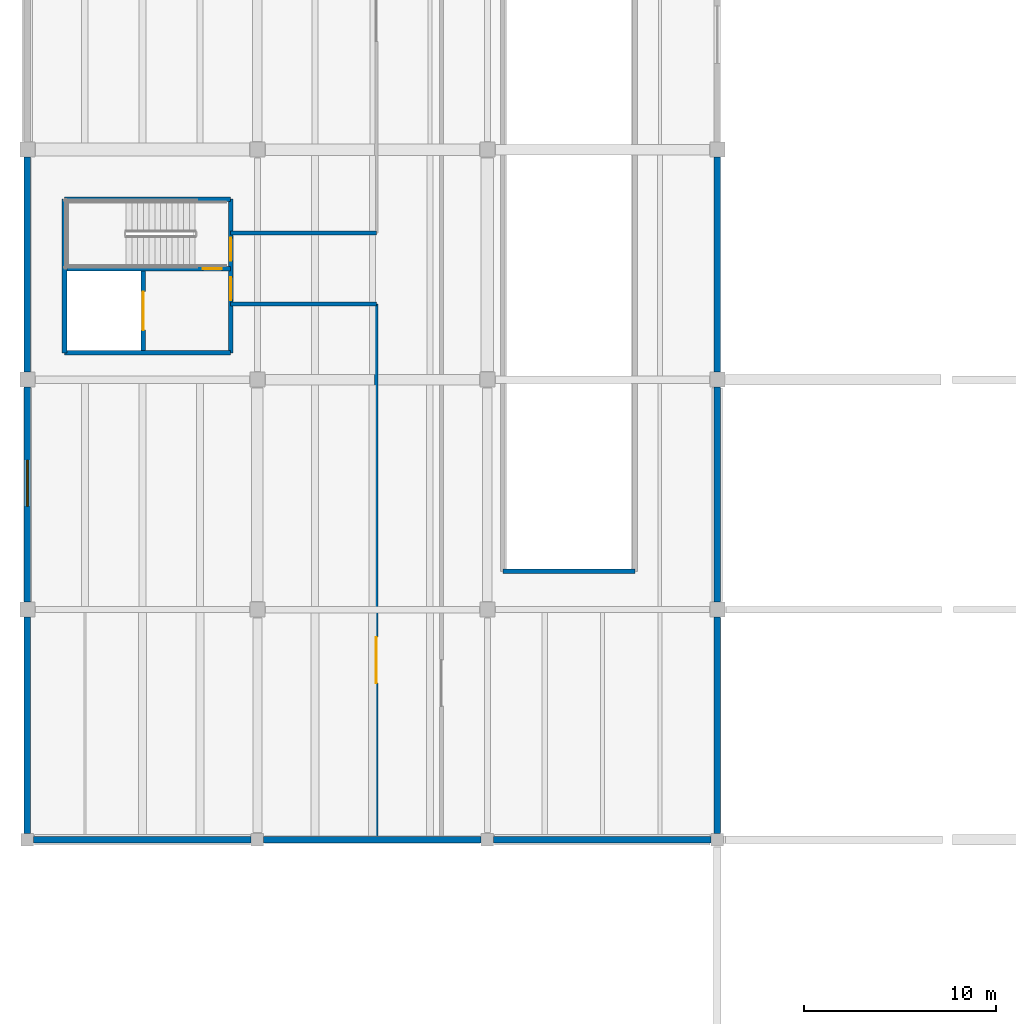
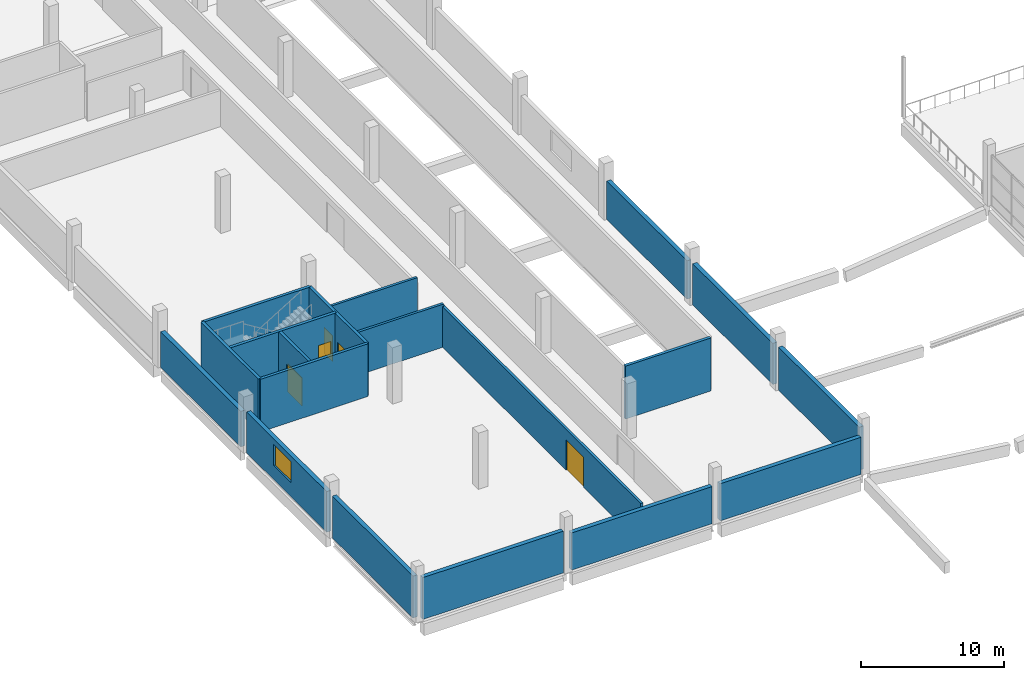
# One storey, part 76 of 112: 19 walls, 5 doors, 1 window, 6 openings.
"""IFC4 building model written with IfcOpenShell, lengths in metres."""

from ifc_helpers import new_model, si_unit, direction, frame, frame_2d, origin, place, context, subcontext, project, spatial, rectangle, extrude, material, layer, layer_set, type_object, element, fill, save


model = new_model("IFC4")

# Units and contexts
model_context = context("Model", 3, precision=1e-05, world=origin(), true_north=direction((0.0, 1.0)))
body_context = subcontext(model_context, "Body", "Model", "MODEL_VIEW")
ifc_project = project(units=[si_unit("LENGTHUNIT", "METRE"), si_unit("AREAUNIT", "SQUARE_METRE"), si_unit("VOLUMEUNIT", "CUBIC_METRE"), si_unit("PLANEANGLEUNIT", "RADIAN"), si_unit("MASSUNIT", "GRAM", prefix="KILO")], contexts=[model_context])

# Site, building, storey
site_placement = place(None, origin())
site = spatial("IfcSite", under=ifc_project, at=site_placement, CompositionType="ELEMENT")
building_placement = place(site_placement, origin())
building = spatial("IfcBuilding", under=site, at=building_placement, Name="Kamomehara Wholesale Market", CompositionType="ELEMENT")
storey_placement = place(building_placement, frame((0.0, 0.0, 6.60009765625)))
storey = spatial("IfcBuildingStorey", under=building, at=storey_placement, Name="L01", CompositionType="ELEMENT", Elevation=6.60009765625)

# Wall
ifc_material_1 = material(Name="Polyurethane insulated metal panel")
ifc_layer_1 = layer(ifc_material_1, 0.340087890625)
ifc_layer_set_1 = layer_set([ifc_layer_1], Name="Polyurethane insulated metal panel")
wall_type_1 = type_object("IfcWallType", Name="EW-CLD-340", PredefinedType="SOLIDWALL", material=ifc_layer_set_1)
wall_1_placement = place(storey_placement, frame((0.0, 36.324951171875, 0.0), z_axis=(0.0, 0.0, 1.0), x_axis=(0.0, 1.0, 0.0)))
element("IfcWall", 1, at=wall_1_placement, inside=storey, type_object=wall_type_1, Name="Exterior wall EW-CLD-340 21", PredefinedType="SOLIDWALL", context=body_context, shape_type="SweptSolid", body=[
    extrude(rectangle(XDim=11.28515625, YDim=0.340087890625, at=frame_2d((5.642578125, 0.0))), origin(), (0.0, 0.0, 1.0), 3.56982421875),
])

# Wall, opening, window
wall_2_placement = place(storey_placement, frame((0.0, 48.389892578125, 0.0), z_axis=(0.0, 0.0, 1.0), x_axis=(0.0, 1.0, 0.0)))
wall_2 = element("IfcWall", 2, at=wall_2_placement, inside=storey, type_object=wall_type_1, Name="Exterior wall EW-CLD-340 22", PredefinedType="SOLIDWALL", context=body_context, shape_type="SweptSolid", body=[
    extrude(rectangle(XDim=11.22021484375, YDim=0.340087890625, at=frame_2d((5.610107421875, 0.0))), origin(), (0.0, 0.0, 1.0), 3.468017578125),
])
opening_1_placement = place(wall_2_placement, frame((5.010009765625, 0.0, 1.199951171875)))
opening_1 = element("IfcOpeningElement", 3, at=opening_1_placement, cuts=wall_2, Name="Opening WN-L01-001", PredefinedType="OPENING", context=body_context, shape_type="SweptSolid", body=[
    extrude(rectangle(XDim=2.39990234375, YDim=1.800048828125, at=frame_2d((1.199951171875, 0.89990234375))), frame((0.0, 0.18505859375, 0.0), z_axis=(0.0, -1.0, 0.0), x_axis=(1.0, 0.0, 0.0)), (0.0, 0.0, 1.0), 0.369873046875),
])
ifc_material_2 = material(Name="Solar-control Low-E double glazing", Category="glass")
window_type = type_object("IfcWindowType", Name="WIN-2400x1800", PartitioningType="SINGLE_PANEL", PredefinedType="WINDOW", material=ifc_material_2)
window_placement = place(opening_1_placement, origin())
window = element("IfcWindow", 4, at=window_placement, inside=storey, type_object=window_type, Name="Exterior window WN-L01-001", OverallHeight=1.800048828125, OverallWidth=2.39990234375, PartitioningType="SINGLE_PANEL", PredefinedType="WINDOW", context=body_context, shape_type="SweptSolid", body=[
    extrude(rectangle(XDim=2.39990234375, YDim=1.800048828125, at=frame_2d((1.199951171875, 0.89990234375))), frame((0.0, 0.030029296875, 0.0), z_axis=(0.0, -1.0, 0.0), x_axis=(1.0, 0.0, 0.0)), (0.0, 0.0, 1.0), 0.06005859375),
])
fill(opening_1, window)

# Walls
wall_3_placement = place(storey_placement, frame((0.0, 60.389892578125, 0.0), z_axis=(0.0, 0.0, 1.0), x_axis=(0.0, 1.0, 0.0)))
element("IfcWall", 5, at=wall_3_placement, inside=storey, type_object=wall_type_1, Name="Exterior wall EW-CLD-340 23", PredefinedType="SOLIDWALL", context=body_context, shape_type="SweptSolid", body=[
    extrude(rectangle(XDim=11.22021484375, YDim=0.340087890625, at=frame_2d((5.610107421875, 0.0))), origin(), (0.0, 0.0, 1.0), 3.037841796875),
])
wall_4_placement = place(storey_placement, frame((11.675048828125, 36.0, 0.0), z_axis=(0.0, 0.0, 1.0), x_axis=(-1.0, 0.0, 0.0)))
element("IfcWall", 6, at=wall_4_placement, inside=storey, type_object=wall_type_1, Name="Exterior wall EW-CLD-340 32", PredefinedType="SOLIDWALL", context=body_context, shape_type="SweptSolid", body=[
    extrude(rectangle(XDim=11.35009765625, YDim=0.340087890625, at=frame_2d((5.675048828125, 0.0))), origin(), (0.0, 0.0, 1.0), 3.56982421875),
])
for number, where, z_axis, x_axis, name in (
    (7, (23.675048828125, 36.0, 0.0), (0.0, 0.0, 1.0), (-1.0, 0.0, 0.0), "Exterior wall EW-CLD-340 34"),
    (8, (35.675048828125, 36.0, 0.0), (0.0, 0.0, 1.0), (-1.0, 0.0, 0.0), "Exterior wall EW-CLD-340 36"),
):
    element("IfcWall", number, at=place(storey_placement, frame(where, z_axis=z_axis, x_axis=x_axis)), inside=storey, type_object=wall_type_1, Name=name, PredefinedType="SOLIDWALL", context=body_context, shape_type="SweptSolid", body=[
        extrude(rectangle(XDim=11.35009765625, YDim=0.340087890625, at=frame_2d((5.675048828125, 0.0))), origin(), (0.0, 0.0, 1.0), 3.169921875),
    ])
wall_5_placement = place(storey_placement, frame((36.0, 47.610107421875, 0.0), z_axis=(0.0, 0.0, 1.0), x_axis=(0.0, -1.0, 0.0)))
element("IfcWall", 9, at=wall_5_placement, inside=storey, type_object=wall_type_1, Name="Exterior wall EW-CLD-340 37", PredefinedType="SOLIDWALL", context=body_context, shape_type="SweptSolid", body=[
    extrude(rectangle(XDim=11.28515625, YDim=0.340087890625, at=frame_2d((5.642578125, 0.0))), origin(), (0.0, 0.0, 1.0), 3.669921875),
])
wall_6_placement = place(storey_placement, frame((36.0, 59.610107421875, 0.0), z_axis=(0.0, 0.0, 1.0), x_axis=(0.0, -1.0, 0.0)))
element("IfcWall", 10, at=wall_6_placement, inside=storey, type_object=wall_type_1, Name="Exterior wall EW-CLD-340 38", PredefinedType="SOLIDWALL", context=body_context, shape_type="SweptSolid", body=[
    extrude(rectangle(XDim=11.22021484375, YDim=0.340087890625, at=frame_2d((5.610107421875, 0.0))), origin(), (0.0, 0.0, 1.0), 3.5078125),
])
wall_7_placement = place(storey_placement, frame((36.0, 71.610107421875, 0.0), z_axis=(0.0, 0.0, 1.0), x_axis=(0.0, -1.0, 0.0)))
element("IfcWall", 11, at=wall_7_placement, inside=storey, type_object=wall_type_1, Name="Exterior wall EW-CLD-340 39", PredefinedType="SOLIDWALL", context=body_context, shape_type="SweptSolid", body=[
    extrude(rectangle(XDim=11.22021484375, YDim=0.340087890625, at=frame_2d((5.610107421875, 0.0))), origin(), (0.0, 0.0, 1.0), 3.27783203125),
])

# Wall, opening, door
ifc_material_3 = material(Name="Gypsum board partition")
ifc_layer_2 = layer(ifc_material_3, 0.199951171875)
ifc_layer_set_2 = layer_set([ifc_layer_2], Name="Gypsum board partition")
wall_type_2 = type_object("IfcWallType", Name="IW-PRT-200", PredefinedType="PARTITIONING", material=ifc_layer_set_2)
wall_8_placement = place(storey_placement, frame((18.199951171875, 36.169921875, 0.0), z_axis=(0.0, 0.0, 1.0), x_axis=(0.0, 1.0, 0.0)))
wall_8 = element("IfcWall", 12, at=wall_8_placement, inside=storey, type_object=wall_type_2, Name="Interior wall IW-PRT-200 300", PredefinedType="PARTITIONING", context=body_context, shape_type="SweptSolid", body=[
    extrude(rectangle(XDim=27.780029296875, YDim=0.199951171875, at=frame_2d((13.89013671875, 0.0))), origin(), (0.0, 0.0, 1.0), 3.472900390625),
])
opening_2_placement = place(wall_8_placement, frame((8.0, 0.0, 0.0)))
opening_2 = element("IfcOpeningElement", 13, at=opening_2_placement, cuts=wall_8, Name="Opening ID-L01-188", PredefinedType="OPENING", context=body_context, shape_type="SweptSolid", body=[
    extrude(rectangle(XDim=2.39990234375, YDim=2.60009765625, at=frame_2d((1.199951171875, 1.300048828125))), frame((0.0, 0.11474609375, 0.0), z_axis=(0.0, -1.0, 0.0), x_axis=(1.0, 0.0, 0.0)), (0.0, 0.0, 1.0), 0.229736328125),
])
ifc_material_4 = material(Name="Steel SN400B", Category="steel")
door_type_1 = type_object("IfcDoorType", Name="IDR-CL-2400x2600", OperationType="NOTDEFINED", PredefinedType="DOOR", material=ifc_material_4)
door_1_placement = place(opening_2_placement, origin())
door_1 = element("IfcDoor", 14, at=door_1_placement, inside=storey, type_object=door_type_1, Name="Interior door ID-L01-188", OperationType="SINGLE_SWING_RIGHT", OverallHeight=2.60009765625, OverallWidth=2.39990234375, PredefinedType="DOOR", context=body_context, shape_type="SweptSolid", body=[
    extrude(rectangle(XDim=2.39990234375, YDim=2.60009765625, at=frame_2d((1.199951171875, 1.300048828125))), frame((0.0, 0.02490234375, 0.0), z_axis=(0.0, -1.0, 0.0), x_axis=(1.0, 0.0, 0.0)), (0.0, 0.0, 1.0), 0.050048828125),
])
fill(opening_2, door_1)

# Walls
for number, where, z_axis, x_axis, name in (
    (15, (10.60009765625, 63.949951171875, 0.0), (0.0, 0.0, 1.0), (1.0, 0.0, 0.0), "Interior wall IW-PRT-200 301"),
    (16, (10.60009765625, 67.64990234375, 0.0), (0.0, 0.0, 1.0), (1.0, 0.0, 0.0), "Interior wall IW-PRT-200 302"),
):
    element("IfcWall", number, at=place(storey_placement, frame(where, z_axis=z_axis, x_axis=x_axis)), inside=storey, type_object=wall_type_2, Name=name, PredefinedType="PARTITIONING", context=body_context, shape_type="SweptSolid", body=[
        extrude(rectangle(XDim=7.599853515625, YDim=0.199951171875, at=frame_2d((3.7998046875, 0.0))), origin(), (0.0, 0.0, 1.0), 3.6728515625),
    ])

# Wall, opening, door
ifc_material_5 = material(Name="Concrete Fc36 (C35/45)", Category="concrete")
ifc_layer_3 = layer(ifc_material_5, 0.219970703125)
ifc_layer_set_3 = layer_set([ifc_layer_3], Name="Concrete Fc36 (C35/45)")
wall_type_3 = type_object("IfcWallType", Name="IW-SHR-220", PredefinedType="SHEAR", material=ifc_layer_set_3)
wall_9_placement = place(storey_placement, frame((6.0400390625, 61.52001953125, 0.0), z_axis=(0.0, 0.0, 1.0), x_axis=(0.0, 1.0, 0.0)))
wall_9 = element("IfcWall", 17, at=wall_9_placement, inside=storey, type_object=wall_type_3, Name="Interior wall IW-SHR-220 36", PredefinedType="SHEAR", context=body_context, shape_type="SweptSolid", body=[
    extrude(rectangle(XDim=4.139892578125, YDim=0.219970703125, at=frame_2d((2.06982421875, 0.0))), origin(), (0.0, 0.0, 1.0), 4.489990234375),
])
opening_3_placement = place(wall_9_placement, frame((1.070068359375, 0.0, 0.0)))
opening_3 = element("IfcOpeningElement", 18, at=opening_3_placement, cuts=wall_9, Name="Opening LD-LF-02-L01", PredefinedType="OPENING", context=body_context, shape_type="SweptSolid", body=[
    extrude(rectangle(XDim=2.0, YDim=2.39990234375, at=frame_2d((1.0, 1.199951171875))), frame((0.0, 0.125, 0.0), z_axis=(0.0, -1.0, 0.0), x_axis=(1.0, 0.0, 0.0)), (0.0, 0.0, 1.0), 0.249755859375),
])
ifc_material_6 = material(Name="Steel SN400B", Category="steel")
door_type_2 = type_object("IfcDoorType", Name="LDR-GDS-2000x2400", OperationType="DOUBLE_DOOR_SLIDING", PredefinedType="DOOR", material=ifc_material_6)
door_2_placement = place(opening_3_placement, origin())
door_2 = element("IfcDoor", 19, at=door_2_placement, inside=storey, type_object=door_type_2, Name="Lift sliding landing door LD-LF-02-L01", OperationType="DOUBLE_DOOR_SLIDING", OverallHeight=2.39990234375, OverallWidth=2.0, PredefinedType="DOOR", context=body_context, shape_type="SweptSolid", body=[
    extrude(rectangle(XDim=2.0, YDim=2.39990234375, at=frame_2d((1.0, 1.199951171875))), frame((0.0, 0.02490234375, 0.0), z_axis=(0.0, -1.0, 0.0), x_axis=(1.0, 0.0, 0.0)), (0.0, 0.0, 1.0), 0.050048828125),
])
fill(opening_3, door_2)

# Walls
ifc_material_7 = material(Name="Concrete Fc36 (C35/45)", Category="concrete")
ifc_layer_4 = layer(ifc_material_7, 0.239990234375)
ifc_layer_set_4 = layer_set([ifc_layer_4], Name="Concrete Fc36 (C35/45)")
wall_type_4 = type_object("IfcWallType", Name="IW-SHR-240", PredefinedType="SHEAR", material=ifc_layer_set_4)
wall_10_placement = place(storey_placement, frame((10.60009765625, 69.419921875, 0.0), z_axis=(0.0, 0.0, 1.0), x_axis=(-1.0, 0.0, 0.0)))
element("IfcWall", 20, at=wall_10_placement, inside=storey, type_object=wall_type_4, Name="Interior wall IW-SHR-240 31", PredefinedType="SHEAR", context=body_context, shape_type="SweptSolid", body=[
    extrude(rectangle(XDim=8.670166015625, YDim=0.239990234375, at=frame_2d((4.3349609375, 0.0))), origin(), (0.0, 0.0, 1.0), 4.489990234375),
])
wall_11_placement = place(storey_placement, frame((1.929931640625, 69.419921875, 0.0), z_axis=(0.0, 0.0, 1.0), x_axis=(0.0, -1.0, 0.0)))
element("IfcWall", 21, at=wall_11_placement, inside=storey, type_object=wall_type_4, Name="Interior wall IW-SHR-240 32", PredefinedType="SHEAR", context=body_context, shape_type="SweptSolid", body=[
    extrude(rectangle(XDim=8.02001953125, YDim=0.239990234375, at=frame_2d((4.010009765625, 0.0))), origin(), (0.0, 0.0, 1.0), 4.489990234375),
])
wall_12_placement = place(storey_placement, frame((1.929931640625, 61.39990234375, 0.0), z_axis=(0.0, 0.0, 1.0), x_axis=(1.0, 0.0, 0.0)))
element("IfcWall", 22, at=wall_12_placement, inside=storey, type_object=wall_type_4, Name="Interior wall IW-SHR-240 33", PredefinedType="SHEAR", context=body_context, shape_type="SweptSolid", body=[
    extrude(rectangle(XDim=8.670166015625, YDim=0.239990234375, at=frame_2d((4.3349609375, 0.0))), origin(), (0.0, 0.0, 1.0), 4.489990234375),
])

# Wall, opening, door
wall_13_placement = place(storey_placement, frame((1.929931640625, 65.780029296875, 0.0), z_axis=(0.0, 0.0, 1.0), x_axis=(1.0, 0.0, 0.0)))
wall_13 = element("IfcWall", 23, at=wall_13_placement, inside=storey, type_object=wall_type_4, Name="Interior wall IW-SHR-240 34", PredefinedType="SHEAR", context=body_context, shape_type="SweptSolid", body=[
    extrude(rectangle(XDim=8.670166015625, YDim=0.239990234375, at=frame_2d((4.3349609375, 0.0))), origin(), (0.0, 0.0, 1.0), 4.489990234375),
])
opening_4_placement = place(wall_13_placement, frame((7.219970703125, 0.0, 0.0)))
opening_4 = element("IfcOpeningElement", 24, at=opening_4_placement, cuts=wall_13, Name="Opening FD-L01-C3I", PredefinedType="OPENING", context=body_context, shape_type="SweptSolid", body=[
    extrude(rectangle(XDim=1.0, YDim=2.199951171875, at=frame_2d((0.5, 1.10009765625))), frame((0.0, 0.134765625, 0.0), z_axis=(0.0, -1.0, 0.0), x_axis=(1.0, 0.0, 0.0)), (0.0, 0.0, 1.0), 0.269775390625),
])
ifc_material_8 = material(Name="Anodised aluminium 6063-T5", Category="aluminium")
door_type_3 = type_object("IfcDoorType", Name="IDR-RM-1000x2200", OperationType="NOTDEFINED", PredefinedType="DOOR", material=ifc_material_8)
door_3_placement = place(opening_4_placement, origin())
door_3 = element("IfcDoor", 25, at=door_3_placement, inside=storey, type_object=door_type_3, Name="Core lobby-stair fire door FD-L01-C3I", OperationType="SINGLE_SWING_LEFT", OverallHeight=2.199951171875, OverallWidth=1.0, PredefinedType="DOOR", context=body_context, shape_type="SweptSolid", body=[
    extrude(rectangle(XDim=1.0, YDim=2.199951171875, at=frame_2d((0.5, 1.10009765625))), frame((0.0, 0.02490234375, 0.0), z_axis=(0.0, -1.0, 0.0), x_axis=(1.0, 0.0, 0.0)), (0.0, 0.0, 1.0), 0.050048828125),
])
fill(opening_4, door_3)

# Wall, openings, doors
wall_14_placement = place(storey_placement, frame((10.60009765625, 61.39990234375, 0.0), z_axis=(0.0, 0.0, 1.0), x_axis=(0.0, 1.0, 0.0)))
wall_14 = element("IfcWall", 26, at=wall_14_placement, inside=storey, type_object=wall_type_4, Name="Interior wall IW-SHR-240 35", PredefinedType="SHEAR", context=body_context, shape_type="SweptSolid", body=[
    extrude(rectangle(XDim=8.02001953125, YDim=0.239990234375, at=frame_2d((4.010009765625, 0.0))), origin(), (0.0, 0.0, 1.0), 4.489990234375),
])
opening_5_placement = place(wall_14_placement, frame((2.75, 0.0, 0.0)))
opening_5 = element("IfcOpeningElement", 27, at=opening_5_placement, cuts=wall_14, Name="Opening FD-L01-C3L", PredefinedType="OPENING", context=body_context, shape_type="SweptSolid", body=[
    extrude(rectangle(XDim=1.199951171875, YDim=2.199951171875, at=frame_2d((0.60009765625, 1.10009765625))), frame((0.0, 0.134765625, 0.0), z_axis=(0.0, -1.0, 0.0), x_axis=(1.0, 0.0, 0.0)), (0.0, 0.0, 1.0), 0.269775390625),
])
opening_6_placement = place(wall_14_placement, frame((4.800048828125, 0.0, 0.0)))
opening_6 = element("IfcOpeningElement", 28, at=opening_6_placement, cuts=wall_14, Name="Opening FD-L01-C3S", PredefinedType="OPENING", context=body_context, shape_type="SweptSolid", body=[
    extrude(rectangle(XDim=1.199951171875, YDim=2.199951171875, at=frame_2d((0.60009765625, 1.10009765625))), frame((0.0, 0.134765625, 0.0), z_axis=(0.0, -1.0, 0.0), x_axis=(1.0, 0.0, 0.0)), (0.0, 0.0, 1.0), 0.269775390625),
])
ifc_material_9 = material(Name="Steel SN400B", Category="steel")
door_type_4 = type_object("IfcDoorType", Name="IDR-FD-1200x2200", OperationType="NOTDEFINED", PredefinedType="DOOR", material=ifc_material_9)
door_4_placement = place(opening_5_placement, origin())
door_4 = element("IfcDoor", 29, at=door_4_placement, inside=storey, type_object=door_type_4, Name="Lift lobby fire door FD-L01-C3L", OperationType="SINGLE_SWING_LEFT", OverallHeight=2.199951171875, OverallWidth=1.199951171875, PredefinedType="DOOR", context=body_context, shape_type="SweptSolid", body=[
    extrude(rectangle(XDim=1.199951171875, YDim=2.199951171875, at=frame_2d((0.60009765625, 1.10009765625))), frame((0.0, 0.02490234375, 0.0), z_axis=(0.0, -1.0, 0.0), x_axis=(1.0, 0.0, 0.0)), (0.0, 0.0, 1.0), 0.050048828125),
])
fill(opening_5, door_4)
door_5_placement = place(opening_6_placement, origin())
door_5 = element("IfcDoor", 30, at=door_5_placement, inside=storey, type_object=door_type_4, Name="Stair fire door FD-L01-C3S", OperationType="SINGLE_SWING_RIGHT", OverallHeight=2.199951171875, OverallWidth=1.199951171875, PredefinedType="DOOR", context=body_context, shape_type="SweptSolid", body=[
    extrude(rectangle(XDim=1.199951171875, YDim=2.199951171875, at=frame_2d((0.60009765625, 1.10009765625))), frame((0.0, 0.02490234375, 0.0), z_axis=(0.0, -1.0, 0.0), x_axis=(1.0, 0.0, 0.0)), (0.0, 0.0, 1.0), 0.050048828125),
])
fill(opening_6, door_5)

# Wall
wall_15_placement = place(storey_placement, frame((24.800048828125, 50.0, 0.0), z_axis=(0.0, 0.0, 1.0), x_axis=(1.0, 0.0, 0.0)))
element("IfcWall", 31, at=wall_15_placement, inside=storey, type_object=wall_type_4, Name="Interior wall IW-SHR-240 191", PredefinedType="SHEAR", context=body_context, shape_type="SweptSolid", body=[
    extrude(rectangle(XDim=6.89990234375, YDim=0.239990234375, at=frame_2d((3.449951171875, 0.0))), origin(), (0.0, 0.0, 1.0), 4.52001953125),
])

save(model, "model.ifc")
